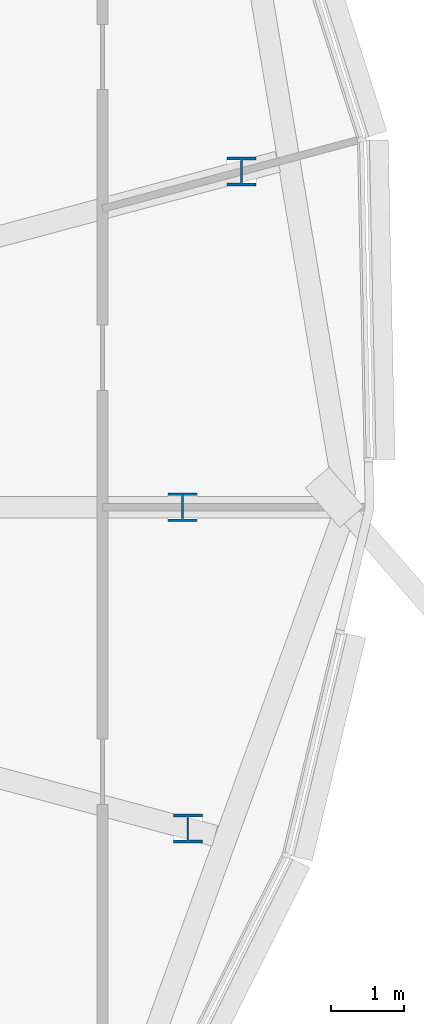
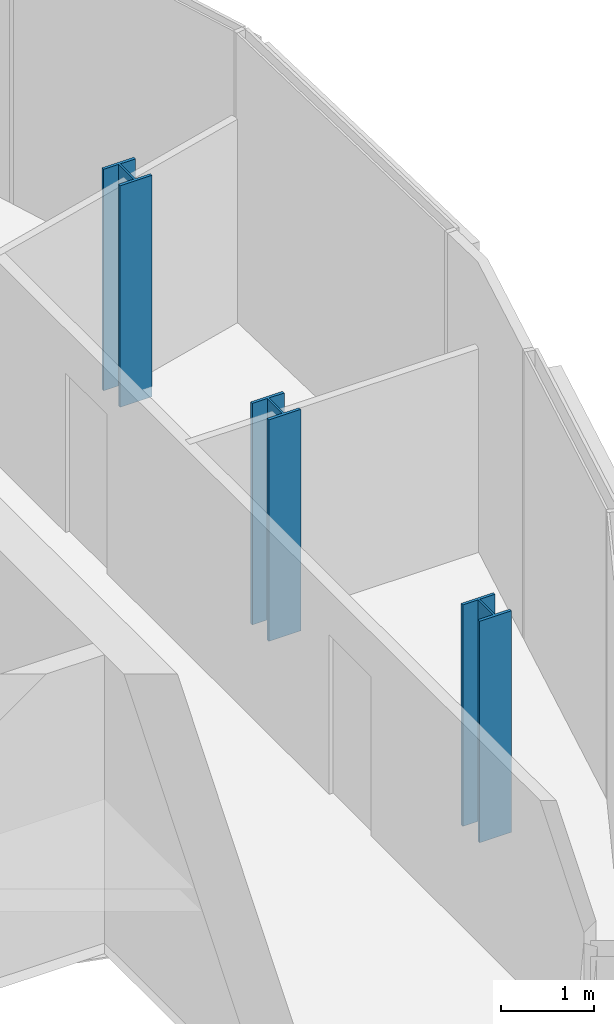
# One storey, part 2 of 34: 3 columns.
"""IFC4 building model written with IfcOpenShell, lengths in metres."""

from ifc_helpers import new_model, si_unit, direction, frame, origin, origin_2d, place, context, subcontext, project, spatial, i_section, extrude, material, material_profile, profile_set, type_object, element, save


model = new_model("IFC4")

# Units and contexts
model_context = context("Model", 3, precision=1e-05, world=origin(), true_north=direction((0.0, 1.0)))
body_context = subcontext(model_context, "Body", "Model", "MODEL_VIEW")
ifc_project = project(units=[si_unit("LENGTHUNIT", "METRE"), si_unit("AREAUNIT", "SQUARE_METRE"), si_unit("VOLUMEUNIT", "CUBIC_METRE"), si_unit("PLANEANGLEUNIT", "RADIAN"), si_unit("MASSUNIT", "GRAM", prefix="KILO")], contexts=[model_context])

# Site, building, storey
site_placement = place(None, origin())
site = spatial("IfcSite", under=ifc_project, at=site_placement, CompositionType="ELEMENT")
building_placement = place(site_placement, origin())
building = spatial("IfcBuilding", under=site, at=building_placement, Name="Rimbun Link Towers", CompositionType="ELEMENT")
storey_placement = place(building_placement, frame((0.0, 0.0, 252.300048828125)))
storey = spatial("IfcBuildingStorey", under=building, at=storey_placement, Name="L62", CompositionType="ELEMENT", Elevation=252.300048828125)

# Columns
ifc_material = material(Name="Steel S355J2", Category="steel")
ifc_material_profile = material_profile(ifc_material, i_section(OverallWidth=0.39892578125, OverallDepth=0.3935546875, WebThickness=0.022705078125, FlangeThickness=0.03662109375, at=origin_2d()), Name="UC 356x406x287")
ifc_profile_set = profile_set([ifc_material_profile], Name="Steel S355J2")
column_type = type_object("IfcColumnType", Name="UC 356x406x287", PredefinedType="COLUMN", material=ifc_profile_set)
for number, where, z_axis, x_axis, name in (
    (1, (48.248779296875, -4.4208984375, -0.14013671875), (0.0, 0.0, 1.0), (1.0, 0.0, 0.0), "Crease post T2 L62 20"),
    (2, (48.175048828125, 0.0, -0.14013671875), (0.0, 0.0, 1.0), (1.0, 0.0, 0.0), "Crease post T2 L62 21"),
    (3, (48.988037109375, 4.618896484375, -0.14013671875), (0.0, 0.0, 1.0), (1.0, 0.0, 0.0), "Crease post T2 L62 22"),
):
    element("IfcColumn", number, at=place(storey_placement, frame(where, z_axis=z_axis, x_axis=x_axis)), inside=storey, type_object=column_type, Name=name, PredefinedType="COLUMN", context=body_context, shape_type="SweptSolid", body=[
        extrude(i_section(OverallWidth=0.39892578125, OverallDepth=0.3935546875, WebThickness=0.022705078125, FlangeThickness=0.03662109375, at=origin_2d()), origin(), (0.0, 0.0, 1.0), 2.91943359375),
    ])

save(model, "model.ifc")
